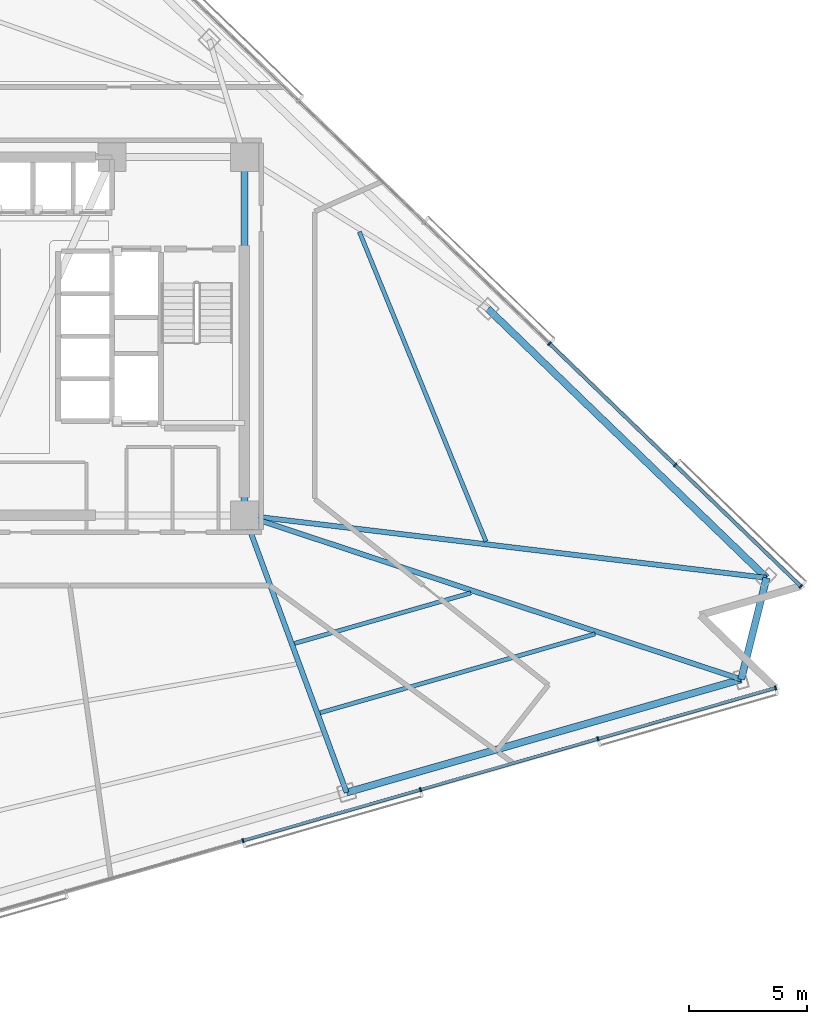
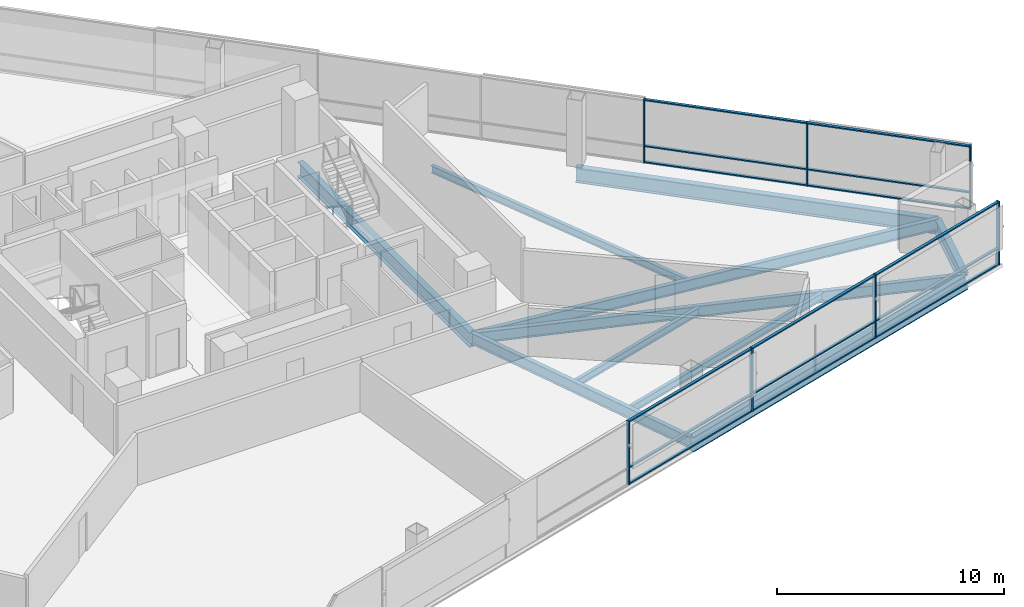
# One storey, part 5 of 18: 22 members, 10 beams, 2 elements without a shape of their own.
"""IFC4 building model written with IfcOpenShell, lengths in metres."""

from ifc_helpers import new_model, si_unit, direction, frame, origin, origin_2d, place, context, subcontext, project, spatial, rectangle, i_section, extrude, material, layer, layer_set, material_profile, profile_set, type_object, element, aggregate, save


model = new_model("IFC4")

# Units and contexts
model_context = context("Model", 3, precision=1e-05, world=origin(), true_north=direction((0.0, 1.0)))
body_context = subcontext(model_context, "Body", "Model", "MODEL_VIEW")
ifc_project = project(units=[si_unit("LENGTHUNIT", "METRE"), si_unit("AREAUNIT", "SQUARE_METRE"), si_unit("VOLUMEUNIT", "CUBIC_METRE"), si_unit("PLANEANGLEUNIT", "RADIAN"), si_unit("MASSUNIT", "GRAM", prefix="KILO")], contexts=[model_context])

# Site, building, storey
site_placement = place(None, origin())
site = spatial("IfcSite", under=ifc_project, at=site_placement, CompositionType="ELEMENT")
building_placement = place(site_placement, origin())
building = spatial("IfcBuilding", under=site, at=building_placement, Name="Tharavind Bronze Gate", CompositionType="ELEMENT")
storey_placement = place(building_placement, frame((0.0, 0.0, 100.5)))
storey = spatial("IfcBuildingStorey", under=building, at=storey_placement, Name="L25", CompositionType="ELEMENT", Elevation=100.5)

# Curtain wall, members
ifc_material_1 = material(Name="Anodised Bronze Aluminium", Category="aluminium")
ifc_layer = layer(ifc_material_1, 0.219970703125)
ifc_layer_set = layer_set([ifc_layer], Name="Anodised Bronze Aluminium")
curtain_wall_type = type_object("IfcCurtainWallType", Name="UNITISED CURTAIN WALL LOWER OFFICE", PredefinedType="USERDEFINED", material=ifc_layer_set)
curtain_wall_1_placement = place(storey_placement, origin())
curtain_wall_1 = element("IfcCurtainWall", 1, at=curtain_wall_1_placement, inside=storey, type_object=curtain_wall_type, Name="L25 unitised curtain wall lower office CW-L25-S2", ObjectType="UNITISED CURTAIN WALL", PredefinedType="USERDEFINED")
member_type_1 = type_object("IfcMemberType", Name="CURTAIN WALL BRONZE MULLION 65X180", PredefinedType="MULLION", material=ifc_material_1)
member_1_placement = place(storey_placement, frame((8.83837890625, -21.406982421875, 0.0), z_axis=(0.0, 0.0, 1.0), x_axis=(0.961261695938, 0.275637355817, 0.0)))
member_1 = element("IfcMember", 2, at=member_1_placement, type_object=member_type_1, Name="CW-L25-S2 mullion 5", PredefinedType="MULLION", context=body_context, shape_type="SweptSolid", body=[
    extrude(rectangle(XDim=0.06494140625, YDim=0.179931640625, at=origin_2d()), origin(), (0.0, 0.0, 1.0), 3.409912109375),
])
member_2_placement = place(storey_placement, frame((16.371826171875, -19.246826171875, 0.0), z_axis=(0.0, 0.0, 1.0), x_axis=(0.961261695938, 0.275637355817, 0.0)))
member_2 = element("IfcMember", 3, at=member_2_placement, type_object=member_type_1, Name="CW-L25-S2 mullion 6", PredefinedType="MULLION", context=body_context, shape_type="SweptSolid", body=[
    extrude(rectangle(XDim=0.06494140625, YDim=0.179931640625, at=origin_2d()), origin(), (0.0, 0.0, 1.0), 3.409912109375),
])
member_3_placement = place(storey_placement, frame((23.9052734375, -17.086669921875, 0.0), z_axis=(0.0, 0.0, 1.0), x_axis=(0.961261695938, 0.275637355817, 0.0)))
member_3 = element("IfcMember", 4, at=member_3_placement, type_object=member_type_1, Name="CW-L25-S2 mullion 7", PredefinedType="MULLION", context=body_context, shape_type="SweptSolid", body=[
    extrude(rectangle(XDim=0.06494140625, YDim=0.179931640625, at=origin_2d()), origin(), (0.0, 0.0, 1.0), 3.409912109375),
])
member_4_placement = place(storey_placement, frame((31.438720703125, -14.926513671875, 0.0), z_axis=(0.0, 0.0, 1.0), x_axis=(0.961261695938, 0.275637355817, 0.0)))
member_4 = element("IfcMember", 5, at=member_4_placement, type_object=member_type_1, Name="CW-L25-S2 mullion 8", PredefinedType="MULLION", context=body_context, shape_type="SweptSolid", body=[
    extrude(rectangle(XDim=0.06494140625, YDim=0.179931640625, at=origin_2d()), origin(), (0.0, 0.0, 1.0), 3.409912109375),
])

curtain_wall_2_placement = place(storey_placement, origin())
curtain_wall_2 = element("IfcCurtainWall", 6, at=curtain_wall_2_placement, inside=storey, type_object=curtain_wall_type, Name="L25 unitised curtain wall lower office CW-L25-S3", ObjectType="UNITISED CURTAIN WALL", PredefinedType="USERDEFINED")
member_5_placement = place(storey_placement, frame((32.512939453125, -10.618408203125, 0.0), z_axis=(0.0, 0.0, 1.0), x_axis=(-0.719341012745, 0.694657114973, 0.0)))
member_5 = element("IfcMember", 7, at=member_5_placement, type_object=member_type_1, Name="CW-L25-S3 mullion 1", PredefinedType="MULLION", context=body_context, shape_type="SweptSolid", body=[
    extrude(rectangle(XDim=0.06494140625, YDim=0.179931640625, at=origin_2d()), origin(), (0.0, 0.0, 1.0), 3.409912109375),
])
member_6_placement = place(storey_placement, frame((27.1796875, -5.468017578125, 0.0), z_axis=(0.0, 0.0, 1.0), x_axis=(-0.719341012745, 0.694657114973, 0.0)))
member_6 = element("IfcMember", 8, at=member_6_placement, type_object=member_type_1, Name="CW-L25-S3 mullion 2", PredefinedType="MULLION", context=body_context, shape_type="SweptSolid", body=[
    extrude(rectangle(XDim=0.06494140625, YDim=0.179931640625, at=origin_2d()), origin(), (0.0, 0.0, 1.0), 3.409912109375),
])
member_7_placement = place(storey_placement, frame((21.84619140625, -0.317626953125, 0.0), z_axis=(0.0, 0.0, 1.0), x_axis=(-0.719341012745, 0.694657114973, 0.0)))
member_7 = element("IfcMember", 9, at=member_7_placement, type_object=member_type_1, Name="CW-L25-S3 mullion 3", PredefinedType="MULLION", context=body_context, shape_type="SweptSolid", body=[
    extrude(rectangle(XDim=0.06494140625, YDim=0.179931640625, at=origin_2d()), origin(), (0.0, 0.0, 1.0), 3.409912109375),
])

# Member
member_type_2 = type_object("IfcMemberType", Name="CURTAIN WALL BRONZE TRANSOM 65X140", PredefinedType="USERDEFINED", material=ifc_material_1)
member_8_placement = place(storey_placement, frame((12.60498046875, -20.326904296875, 0.0), z_axis=(0.0, 0.0, 1.0), x_axis=(0.961261695938, 0.275637355817, 0.0)))
member_8 = element("IfcMember", 10, at=member_8_placement, type_object=member_type_2, Name="CW-L25-S2 transom TB5", ObjectType="TRANSOM", PredefinedType="USERDEFINED", context=body_context, shape_type="SweptSolid", body=[
    extrude(rectangle(XDim=7.7841796875, YDim=0.139892578125, at=origin_2d()), origin(), (0.0, 0.0, 1.0), 0.06494140625),
])

member_9_placement = place(storey_placement, frame((12.60498046875, -20.326904296875, 0.867431640625), z_axis=(0.0, 0.0, 1.0), x_axis=(0.961261695938, 0.275637355817, 0.0)))
member_9 = element("IfcMember", 11, at=member_9_placement, type_object=member_type_2, Name="CW-L25-S2 transom TS5", ObjectType="TRANSOM", PredefinedType="USERDEFINED", context=body_context, shape_type="SweptSolid", body=[
    extrude(rectangle(XDim=7.7841796875, YDim=0.139892578125, at=origin_2d()), origin(), (0.0, 0.0, 1.0), 0.06494140625),
])

member_10_placement = place(storey_placement, frame((12.60498046875, -20.326904296875, 3.344970703125), z_axis=(0.0, 0.0, 1.0), x_axis=(0.961261695938, 0.275637355817, 0.0)))
member_10 = element("IfcMember", 12, at=member_10_placement, type_object=member_type_2, Name="CW-L25-S2 transom TT5", ObjectType="TRANSOM", PredefinedType="USERDEFINED", context=body_context, shape_type="SweptSolid", body=[
    extrude(rectangle(XDim=7.7841796875, YDim=0.139892578125, at=origin_2d()), origin(), (0.0, 0.0, 1.0), 0.06494140625),
])

member_11_placement = place(storey_placement, frame((20.138671875, -18.166748046875, 0.0), z_axis=(0.0, 0.0, 1.0), x_axis=(0.961261695938, 0.275637355817, 0.0)))
member_11 = element("IfcMember", 13, at=member_11_placement, type_object=member_type_2, Name="CW-L25-S2 transom TB6", ObjectType="TRANSOM", PredefinedType="USERDEFINED", context=body_context, shape_type="SweptSolid", body=[
    extrude(rectangle(XDim=7.7841796875, YDim=0.139892578125, at=origin_2d()), origin(), (0.0, 0.0, 1.0), 0.06494140625),
])

member_12_placement = place(storey_placement, frame((20.138671875, -18.166748046875, 0.867431640625), z_axis=(0.0, 0.0, 1.0), x_axis=(0.961261695938, 0.275637355817, 0.0)))
member_12 = element("IfcMember", 14, at=member_12_placement, type_object=member_type_2, Name="CW-L25-S2 transom TS6", ObjectType="TRANSOM", PredefinedType="USERDEFINED", context=body_context, shape_type="SweptSolid", body=[
    extrude(rectangle(XDim=7.7841796875, YDim=0.139892578125, at=origin_2d()), origin(), (0.0, 0.0, 1.0), 0.06494140625),
])

member_13_placement = place(storey_placement, frame((20.138671875, -18.166748046875, 3.344970703125), z_axis=(0.0, 0.0, 1.0), x_axis=(0.961261695938, 0.275637355817, 0.0)))
member_13 = element("IfcMember", 15, at=member_13_placement, type_object=member_type_2, Name="CW-L25-S2 transom TT6", ObjectType="TRANSOM", PredefinedType="USERDEFINED", context=body_context, shape_type="SweptSolid", body=[
    extrude(rectangle(XDim=7.7841796875, YDim=0.139892578125, at=origin_2d()), origin(), (0.0, 0.0, 1.0), 0.06494140625),
])

member_14_placement = place(storey_placement, frame((27.672119140625, -16.006591796875, 0.0), z_axis=(0.0, 0.0, 1.0), x_axis=(0.961261695938, 0.275637355817, 0.0)))
member_14 = element("IfcMember", 16, at=member_14_placement, type_object=member_type_2, Name="CW-L25-S2 transom TB7", ObjectType="TRANSOM", PredefinedType="USERDEFINED", context=body_context, shape_type="SweptSolid", body=[
    extrude(rectangle(XDim=7.7841796875, YDim=0.139892578125, at=origin_2d()), origin(), (0.0, 0.0, 1.0), 0.06494140625),
])

member_15_placement = place(storey_placement, frame((27.672119140625, -16.006591796875, 0.867431640625), z_axis=(0.0, 0.0, 1.0), x_axis=(0.961261695938, 0.275637355817, 0.0)))
member_15 = element("IfcMember", 17, at=member_15_placement, type_object=member_type_2, Name="CW-L25-S2 transom TS7", ObjectType="TRANSOM", PredefinedType="USERDEFINED", context=body_context, shape_type="SweptSolid", body=[
    extrude(rectangle(XDim=7.7841796875, YDim=0.139892578125, at=origin_2d()), origin(), (0.0, 0.0, 1.0), 0.06494140625),
])

member_16_placement = place(storey_placement, frame((27.672119140625, -16.006591796875, 3.344970703125), z_axis=(0.0, 0.0, 1.0), x_axis=(0.961261695938, 0.275637355817, 0.0)))
member_16 = element("IfcMember", 18, at=member_16_placement, type_object=member_type_2, Name="CW-L25-S2 transom TT7", ObjectType="TRANSOM", PredefinedType="USERDEFINED", context=body_context, shape_type="SweptSolid", body=[
    extrude(rectangle(XDim=7.7841796875, YDim=0.139892578125, at=origin_2d()), origin(), (0.0, 0.0, 1.0), 0.06494140625),
])

aggregate(curtain_wall_1, [member_1, member_2, member_3, member_4, member_8, member_9, member_10, member_11, member_12, member_13, member_14, member_15, member_16])

member_17_placement = place(storey_placement, frame((29.84619140625, -8.043212890625, 0.0), z_axis=(0.0, 0.0, 1.0), x_axis=(-0.719341012745, 0.694657114973, 0.0)))
member_17 = element("IfcMember", 19, at=member_17_placement, type_object=member_type_2, Name="CW-L25-S3 transom TB1", ObjectType="TRANSOM", PredefinedType="USERDEFINED", context=body_context, shape_type="SweptSolid", body=[
    extrude(rectangle(XDim=7.361083984375, YDim=0.139892578125, at=origin_2d()), origin(), (0.0, 0.0, 1.0), 0.06494140625),
])

member_18_placement = place(storey_placement, frame((29.84619140625, -8.043212890625, 0.867431640625), z_axis=(0.0, 0.0, 1.0), x_axis=(-0.719341012745, 0.694657114973, 0.0)))
member_18 = element("IfcMember", 20, at=member_18_placement, type_object=member_type_2, Name="CW-L25-S3 transom TS1", ObjectType="TRANSOM", PredefinedType="USERDEFINED", context=body_context, shape_type="SweptSolid", body=[
    extrude(rectangle(XDim=7.361083984375, YDim=0.139892578125, at=origin_2d()), origin(), (0.0, 0.0, 1.0), 0.06494140625),
])

member_19_placement = place(storey_placement, frame((29.84619140625, -8.043212890625, 3.344970703125), z_axis=(0.0, 0.0, 1.0), x_axis=(-0.719341012745, 0.694657114973, 0.0)))
member_19 = element("IfcMember", 21, at=member_19_placement, type_object=member_type_2, Name="CW-L25-S3 transom TT1", ObjectType="TRANSOM", PredefinedType="USERDEFINED", context=body_context, shape_type="SweptSolid", body=[
    extrude(rectangle(XDim=7.361083984375, YDim=0.139892578125, at=origin_2d()), origin(), (0.0, 0.0, 1.0), 0.06494140625),
])

member_20_placement = place(storey_placement, frame((24.512939453125, -2.892822265625, 0.0), z_axis=(0.0, 0.0, 1.0), x_axis=(-0.719341012745, 0.694657114973, 0.0)))
member_20 = element("IfcMember", 22, at=member_20_placement, type_object=member_type_2, Name="CW-L25-S3 transom TB2", ObjectType="TRANSOM", PredefinedType="USERDEFINED", context=body_context, shape_type="SweptSolid", body=[
    extrude(rectangle(XDim=7.361083984375, YDim=0.139892578125, at=origin_2d()), origin(), (0.0, 0.0, 1.0), 0.06494140625),
])

member_21_placement = place(storey_placement, frame((24.512939453125, -2.892822265625, 0.867431640625), z_axis=(0.0, 0.0, 1.0), x_axis=(-0.719341012745, 0.694657114973, 0.0)))
member_21 = element("IfcMember", 23, at=member_21_placement, type_object=member_type_2, Name="CW-L25-S3 transom TS2", ObjectType="TRANSOM", PredefinedType="USERDEFINED", context=body_context, shape_type="SweptSolid", body=[
    extrude(rectangle(XDim=7.361083984375, YDim=0.139892578125, at=origin_2d()), origin(), (0.0, 0.0, 1.0), 0.06494140625),
])

member_22_placement = place(storey_placement, frame((24.512939453125, -2.892822265625, 3.344970703125), z_axis=(0.0, 0.0, 1.0), x_axis=(-0.719341012745, 0.694657114973, 0.0)))
member_22 = element("IfcMember", 24, at=member_22_placement, type_object=member_type_2, Name="CW-L25-S3 transom TT2", ObjectType="TRANSOM", PredefinedType="USERDEFINED", context=body_context, shape_type="SweptSolid", body=[
    extrude(rectangle(XDim=7.361083984375, YDim=0.139892578125, at=origin_2d()), origin(), (0.0, 0.0, 1.0), 0.06494140625),
])

aggregate(curtain_wall_2, [member_5, member_6, member_7, member_17, member_18, member_19, member_20, member_21, member_22])

# Beams
ifc_material_2 = material(Name="Steel S355", Category="steel")
ifc_material_profile_1 = material_profile(ifc_material_2, i_section(OverallWidth=0.219970703125, OverallDepth=0.60009765625, WebThickness=0.011962890625, FlangeThickness=0.01904296875, at=origin_2d()), Name="IPE600")
ifc_profile_set_1 = profile_set([ifc_material_profile_1], Name="Steel S355")
beam_type_1 = type_object("IfcBeamType", Name="PRIMARY GIRDER IPE600", PredefinedType="USERDEFINED", material=ifc_profile_set_1)
beam_1_placement = place(storey_placement, frame((13.23779296875, -19.365234375, -0.489990234375), z_axis=(-0.345941741317, 0.938255994713, 0.0), x_axis=(-0.938255994713, -0.345941741317, 0.0)))
element("IfcBeam", 25, at=beam_1_placement, inside=storey, type_object=beam_type_1, Name="L25 primary girder ipe600 BM-L25-RAD07", ObjectType="GIRDER", PredefinedType="USERDEFINED", context=body_context, shape_type="SweptSolid", body=[
    extrude(i_section(OverallWidth=0.219970703125, OverallDepth=0.60009765625, WebThickness=0.011962890625, FlangeThickness=0.01904296875, at=origin_2d()), origin(), (0.0, 0.0, 1.0), 12.539306640625),
])
beam_2_placement = place(storey_placement, frame((29.9833984375, -14.563720703125, -0.489990234375), z_axis=(-0.949547271017, 0.313623946956, 0.0), x_axis=(-0.313623946956, -0.949547271017, 0.0)))
element("IfcBeam", 26, at=beam_2_placement, inside=storey, type_object=beam_type_1, Name="L25 primary girder ipe600 BM-L25-RAD08", ObjectType="GIRDER", PredefinedType="USERDEFINED", context=body_context, shape_type="SweptSolid", body=[
    extrude(i_section(OverallWidth=0.219970703125, OverallDepth=0.60009765625, WebThickness=0.011962890625, FlangeThickness=0.01904296875, at=origin_2d()), origin(), (0.0, 0.0, 1.0), 22.20361328125),
])
beam_3_placement = place(storey_placement, frame((31.0576171875, -10.255615234375, -0.489990234375), z_axis=(-0.992894893645, 0.118994664472, 0.0), x_axis=(-0.118994664472, -0.992894893645, 0.0)))
element("IfcBeam", 27, at=beam_3_placement, inside=storey, type_object=beam_type_1, Name="L25 primary girder ipe600 BM-L25-RAD09", ObjectType="GIRDER", PredefinedType="USERDEFINED", context=body_context, shape_type="SweptSolid", body=[
    extrude(i_section(OverallWidth=0.219970703125, OverallDepth=0.60009765625, WebThickness=0.011962890625, FlangeThickness=0.01904296875, at=origin_2d()), origin(), (0.0, 0.0, 1.0), 22.316162109375),
])
ifc_material_profile_2 = material_profile(ifc_material_2, i_section(OverallWidth=0.300048828125, OverallDepth=0.800048828125, WebThickness=0.017578125, FlangeThickness=0.032958984375, at=origin_2d()), Name="HE800B")
ifc_profile_set_2 = profile_set([ifc_material_profile_2], Name="Steel S355")
beam_type_2 = type_object("IfcBeamType", Name="RING GIRDER HE800B", PredefinedType="USERDEFINED", material=ifc_profile_set_2)
beam_4_placement = place(storey_placement, frame((8.89990234375, -7.60009765625, -0.590087890625), z_axis=(0.0, 1.0, 0.0), x_axis=(-1.0, 0.0, 0.0)))
element("IfcBeam", 28, at=beam_4_placement, inside=storey, type_object=beam_type_2, Name="L25 ring girder he800b BM-L25-CR3", ObjectType="GIRDER", PredefinedType="USERDEFINED", context=body_context, shape_type="SweptSolid", body=[
    extrude(i_section(OverallWidth=0.300048828125, OverallDepth=0.800048828125, WebThickness=0.017578125, FlangeThickness=0.032958984375, at=origin_2d()), origin(), (0.0, 0.0, 1.0), 15.2001953125),
])
beam_5_placement = place(storey_placement, frame((13.23779296875, -19.365234375, -0.590087890625), z_axis=(0.961264911639, 0.275626141088, 0.0), x_axis=(-0.275626141088, 0.961264911639, 0.0)))
element("IfcBeam", 29, at=beam_5_placement, inside=storey, type_object=beam_type_2, Name="L25 ring girder he800b BM-L25-PRG07", ObjectType="GIRDER", PredefinedType="USERDEFINED", context=body_context, shape_type="SweptSolid", body=[
    extrude(i_section(OverallWidth=0.300048828125, OverallDepth=0.800048828125, WebThickness=0.017578125, FlangeThickness=0.032958984375, at=origin_2d()), origin(), (0.0, 0.0, 1.0), 17.42041015625),
])
beam_6_placement = place(storey_placement, frame((29.9833984375, -14.563720703125, -0.590087890625), z_axis=(0.241940431812, 0.970291104491, 0.0), x_axis=(-0.970291104491, 0.241940431812, 0.0)))
element("IfcBeam", 30, at=beam_6_placement, inside=storey, type_object=beam_type_2, Name="L25 ring girder he800b BM-L25-PRG08", ObjectType="GIRDER", PredefinedType="USERDEFINED", context=body_context, shape_type="SweptSolid", body=[
    extrude(i_section(OverallWidth=0.300048828125, OverallDepth=0.800048828125, WebThickness=0.017578125, FlangeThickness=0.032958984375, at=origin_2d()), origin(), (0.0, 0.0, 1.0), 4.43994140625),
])
beam_7_placement = place(storey_placement, frame((31.0576171875, -10.255615234375, -0.590087890625), z_axis=(-0.719336950964, 0.694661321061, 0.0), x_axis=(-0.694661321061, -0.719336950964, 0.0)))
element("IfcBeam", 31, at=beam_7_placement, inside=storey, type_object=beam_type_2, Name="L25 ring girder he800b BM-L25-PRG09", ObjectType="GIRDER", PredefinedType="USERDEFINED", context=body_context, shape_type="SweptSolid", body=[
    extrude(i_section(OverallWidth=0.300048828125, OverallDepth=0.800048828125, WebThickness=0.017578125, FlangeThickness=0.032958984375, at=origin_2d()), origin(), (0.0, 0.0, 1.0), 16.433837890625),
])
ifc_material_profile_3 = material_profile(ifc_material_2, i_section(OverallWidth=0.179931640625, OverallDepth=0.39990234375, WebThickness=0.008544921875, FlangeThickness=0.013427734375, at=origin_2d()), Name="IPE400")
ifc_profile_set_3 = profile_set([ifc_material_profile_3], Name="Steel S355")
beam_type_3 = type_object("IfcBeamType", Name="SECONDARY FLOOR JOIST IPE400", PredefinedType="JOIST", material=ifc_profile_set_3)
beam_8_placement = place(storey_placement, frame((11.027099609375, -13.039306640625, -0.389892578125), z_axis=(0.961264410597, 0.275627888501, 0.0), x_axis=(-0.275627888501, 0.961264410597, 0.0)))
element("IfcBeam", 32, at=beam_8_placement, inside=storey, type_object=beam_type_3, Name="L25 secondary floor joist ipe400 BM-L25-JSTA07", PredefinedType="JOIST", context=body_context, shape_type="SweptSolid", body=[
    extrude(i_section(OverallWidth=0.179931640625, OverallDepth=0.39990234375, WebThickness=0.008544921875, FlangeThickness=0.013427734375, at=origin_2d()), origin(), (0.0, 0.0, 1.0), 7.78662109375),
])
beam_9_placement = place(storey_placement, frame((12.111328125, -15.980712890625, -0.389892578125), z_axis=(0.961258694637, 0.275647822385, 0.0), x_axis=(-0.275647822385, 0.961258694637, 0.0)))
element("IfcBeam", 33, at=beam_9_placement, inside=storey, type_object=beam_type_3, Name="L25 secondary floor joist ipe400 BM-L25-JSTB07", PredefinedType="JOIST", context=body_context, shape_type="SweptSolid", body=[
    extrude(i_section(OverallWidth=0.179931640625, OverallDepth=0.39990234375, WebThickness=0.008544921875, FlangeThickness=0.013427734375, at=origin_2d()), origin(), (0.0, 0.0, 1.0), 12.14208984375),
])
beam_10_placement = place(storey_placement, frame((19.154052734375, -8.714599609375, -0.389892578125), z_axis=(-0.378556522094, 0.925578175834, 0.0), x_axis=(-0.925578175834, -0.378556522094, 0.0)))
element("IfcBeam", 34, at=beam_10_placement, inside=storey, type_object=beam_type_3, Name="L25 secondary floor joist ipe400 BM-L25-JSTA09", PredefinedType="JOIST", context=body_context, shape_type="SweptSolid", body=[
    extrude(i_section(OverallWidth=0.179931640625, OverallDepth=0.39990234375, WebThickness=0.008544921875, FlangeThickness=0.013427734375, at=origin_2d()), origin(), (0.0, 0.0, 1.0), 14.19921875),
])

save(model, "model.ifc")
